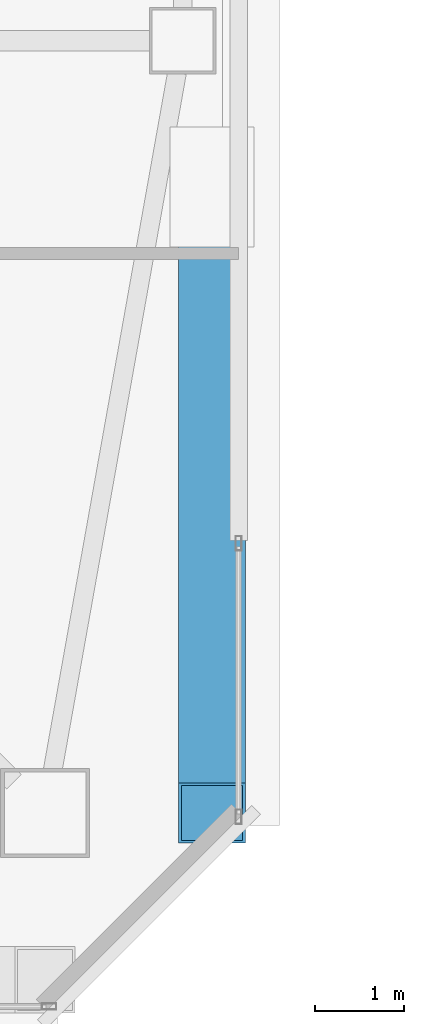
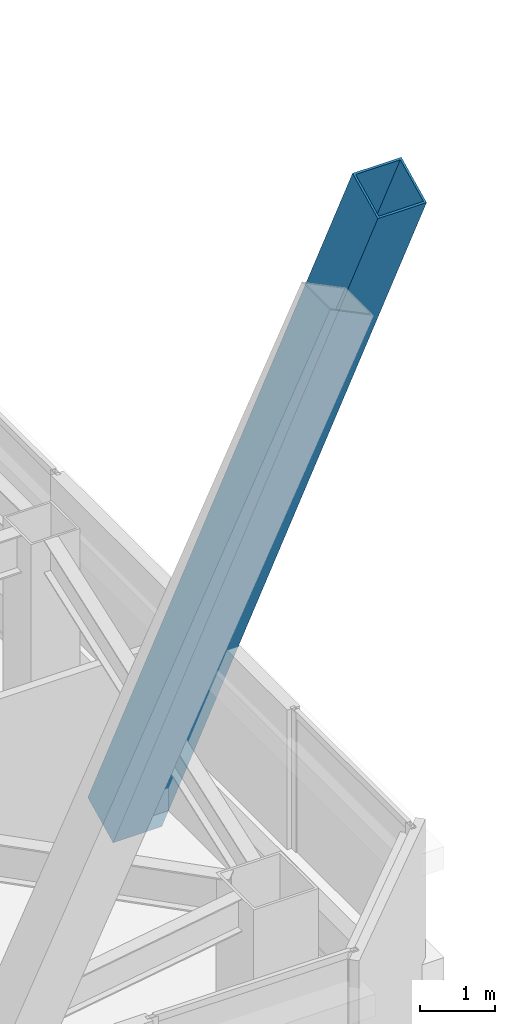
# One storey, part 14 of 56: 1 member.
"""IFC4 building model written with IfcOpenShell, lengths in metres."""

import ifcopenshell
import ifcopenshell.guid

model = None  # the IFC model being written
_history = None  # IfcOwnerHistory: only IFC2X3 demands one
_inside = {}  # id of a spatial element -> (the spatial element, [elements in it])
_under = {}  # id of a project, library or spatial element -> (it, [spatial elements below it])
_declared = {}  # id of a project -> (the project, [libraries it declares])
_typed = {}  # id of a type object -> (the type object, [elements of that type])
_made_of = {}  # id of a material, layer set ... -> (it, [elements and type objects made of it])


def new_model(schema):
    """Start an empty IFC model of exactly this schema.

    Asked for "IFC4X3", IfcOpenShell would pick the latest addendum, in which some entities
    have other attributes; the version numbers below select the first issue.
    IFC2X3 requires an IfcOwnerHistory on every rooted entity: one is made here for all.
    """
    global model, _history
    if schema == "IFC4X3":
        model = ifcopenshell.file(schema_version=(4, 3, 0, 0))
    else:
        model = ifcopenshell.file(schema=schema)
    _inside.clear()
    _under.clear()
    _declared.clear()
    _typed.clear()
    _made_of.clear()
    _history = None
    if model.schema == "IFC2X3":
        org = make("IfcOrganization", Name="unknown")
        user = make(
            "IfcPersonAndOrganization",
            ThePerson=make("IfcPerson", FamilyName="unknown"),
            TheOrganization=org,
        )
        app = make(
            "IfcApplication",
            ApplicationDeveloper=org,
            Version="unknown",
            ApplicationFullName="unknown",
            ApplicationIdentifier="unknown",
        )
        _history = make(
            "IfcOwnerHistory",
            OwningUser=user,
            OwningApplication=app,
            ChangeAction="ADDED",
            CreationDate=0,
        )
    return model


def make(cls, **values):
    """One entity of the class cls with the attributes given. An attribute that is None is left unset."""
    return model.create_entity(
        cls, **{name: value for name, value in values.items() if value is not None}
    )


def rooted(cls, **values):
    """An entity with a GlobalId (a new one), such as an element, a storey or a relation."""
    return make(cls, GlobalId=ifcopenshell.guid.new(), OwnerHistory=_history, **values)


def si_unit(unit_type, name, prefix=None):
    """IfcSIUnit, for example si_unit("LENGTHUNIT", "METRE", prefix="MILLI")."""
    return make("IfcSIUnit", UnitType=unit_type, Prefix=prefix, Name=name)


def assignment(units):
    """IfcUnitAssignment: the units of a project."""
    return None if units is None else make("IfcUnitAssignment", Units=units)


def point(xyz):
    """IfcCartesianPoint."""
    return None if xyz is None else make("IfcCartesianPoint", Coordinates=xyz)


def direction(xyz):
    """IfcDirection."""
    return None if xyz is None else make("IfcDirection", DirectionRatios=xyz)


def frame(location, z_axis=None, x_axis=None):
    """IfcAxis2Placement3D, a coordinate frame: its origin and axes. An axis left out is left unset."""
    return make(
        "IfcAxis2Placement3D",
        Location=point(location),
        Axis=direction(z_axis),
        RefDirection=direction(x_axis),
    )


def frame_2d(location, x_axis=None):
    """IfcAxis2Placement2D, a coordinate frame in the plane: its origin and x axis."""
    return make(
        "IfcAxis2Placement2D", Location=point(location), RefDirection=direction(x_axis)
    )


def origin():
    """The frame at (0, 0, 0) with its axes left unset."""
    return frame((0.0, 0.0, 0.0))


def origin_2d():
    """The frame at (0, 0) in the plane with its x axis left unset."""
    return frame_2d((0.0, 0.0))


def place(relative_to, where):
    """IfcLocalPlacement: puts the frame where relative to a parent placement (None: the world)."""
    return make(
        "IfcLocalPlacement", PlacementRelTo=relative_to, RelativePlacement=where
    )


def context(
    kind, dimensions, precision=None, world=None, true_north=None, identifier=None
):
    """IfcGeometricRepresentationContext, for example the 3D "Model" context."""
    return make(
        "IfcGeometricRepresentationContext",
        ContextIdentifier=identifier,
        ContextType=kind,
        CoordinateSpaceDimension=dimensions,
        Precision=precision,
        WorldCoordinateSystem=world,
        TrueNorth=true_north,
    )


def subcontext(parent, identifier, kind, view, scale=None):
    """IfcGeometricRepresentationSubContext, for example "Body" below "Model"."""
    return make(
        "IfcGeometricRepresentationSubContext",
        ContextIdentifier=identifier,
        ContextType=kind,
        ParentContext=parent,
        TargetScale=scale,
        TargetView=view,
    )


def project(units=None, contexts=None):
    """IfcProject with its units and contexts."""
    return rooted(
        "IfcProject",
        Name="project",
        RepresentationContexts=contexts,
        UnitsInContext=assignment(units),
    )


def spatial(cls, under=None, at=None, **own):
    """A site, building, storey or space (cls), placed at a placement, below another one or the project."""
    s = rooted(cls, ObjectPlacement=at, **own)
    if under is not None:
        _under.setdefault(under.id(), (under, []))[1].append(s)
    return s


def profile(cls, at=None, kind="AREA", **sizes):
    """A parametric profile (cls). Its sizes go by their IFC names, for example OverallWidth=200.0."""
    return make(cls, ProfileType=kind, Position=at, **sizes)


def hollow_rectangle(**sizes):
    """IfcRectangleHollowProfileDef."""
    return profile("IfcRectangleHollowProfileDef", **sizes)


def extrude(swept, where, along, depth):
    """IfcExtrudedAreaSolid: the profile swept, set in the frame where, extruded along a direction by depth."""
    return make(
        "IfcExtrudedAreaSolid",
        SweptArea=swept,
        Position=where,
        ExtrudedDirection=direction(along),
        Depth=depth,
    )


def shape(context_of_items, identifier, shape_type, items):
    """IfcShapeRepresentation: the items that make up one representation, for example the "Body"."""
    return make(
        "IfcShapeRepresentation",
        ContextOfItems=context_of_items,
        RepresentationIdentifier=identifier,
        RepresentationType=shape_type,
        Items=items,
    )


def material(Name=None, Category=None):
    """IfcMaterial."""
    return make("IfcMaterial", Name=Name, Category=Category)


def material_profile(
    of_material, cross_section, Name=None, Category=None, Priority=None
):
    """IfcMaterialProfile: a cross section and its material."""
    return make(
        "IfcMaterialProfile",
        Name=Name,
        Material=of_material,
        Profile=cross_section,
        Priority=Priority,
        Category=Category,
    )


def profile_set(profiles, Name=None, composite=None):
    """IfcMaterialProfileSet."""
    return make(
        "IfcMaterialProfileSet",
        Name=Name,
        MaterialProfiles=profiles,
        CompositeProfile=composite,
    )


def made_of(thing, what):
    """Note that an element or type object is made of a material, layer set ...; save() writes the relation."""
    if what is not None:
        _made_of.setdefault(what.id(), (what, []))[1].append(thing)
    return thing


def type_object(cls, material=None, **own):
    """A type object (cls), such as IfcWallType, which elements share."""
    return made_of(rooted(cls, **own), material)


def element(
    cls,
    number,
    at=None,
    inside=None,
    cuts=None,
    type_object=None,
    material=None,
    context=None,
    identifier="Body",
    shape_type=None,
    held_by="IfcProductDefinitionShape",
    body=None,
    shapes=None,
    **own,
):
    """One element of the class cls, such as IfcWall. Its Tag is "e" and its number.

    at: its placement. inside: the storey or other place that contains it. cuts: it is an
    opening in that element (IfcRelVoidsElement). A single representation is given by context,
    identifier, shape_type and body (its items); several are given by shapes. held_by: the class
    of the entity that holds the representations. save() writes the other relations.
    """
    e = rooted(cls, Tag="e%d" % number, ObjectPlacement=at, **own)
    if body is not None:
        shapes = [shape(context, identifier, shape_type, body)]
    if shapes is not None:
        e.Representation = make(held_by, Representations=shapes)
    if inside is not None:
        _inside.setdefault(inside.id(), (inside, []))[1].append(e)
    if cuts is not None:
        rooted(
            "IfcRelVoidsElement", RelatingBuildingElement=cuts, RelatedOpeningElement=e
        )
    if type_object is not None:
        _typed.setdefault(type_object.id(), (type_object, []))[1].append(e)
    return made_of(e, material)


def aggregate(whole, parts):
    """IfcRelAggregates: a whole, such as a stair, and the parts it consists of."""
    return rooted("IfcRelAggregates", RelatingObject=whole, RelatedObjects=parts)


def save(model, path):
    """Write the relations noted so far, then the file.

    IfcRelAggregates (storeys below a building ...), IfcRelContainedInSpatialStructure (elements
    in a storey), IfcRelDefinesByType, IfcRelAssociatesMaterial and IfcRelDeclares: one each for
    every whole, place, type object, material and project.
    """
    for whole, parts in _under.values():
        aggregate(whole, parts)
    for where, things in _inside.values():
        rooted(
            "IfcRelContainedInSpatialStructure",
            RelatedElements=things,
            RelatingStructure=where,
        )
    for kind, things in _typed.values():
        rooted("IfcRelDefinesByType", RelatedObjects=things, RelatingType=kind)
    for what, things in _made_of.values():
        rooted("IfcRelAssociatesMaterial", RelatedObjects=things, RelatingMaterial=what)
    for by, libraries in _declared.values():
        rooted("IfcRelDeclares", RelatingContext=by, RelatedDefinitions=libraries)
    model.write(path)


model = new_model("IFC4")

# Units and contexts
model_context = context("Model", 3, precision=1e-05, world=origin(), true_north=direction((0.0, 1.0)))
body_context = subcontext(model_context, "Body", "Model", "MODEL_VIEW")
ifc_project = project(units=[si_unit("LENGTHUNIT", "METRE"), si_unit("AREAUNIT", "SQUARE_METRE"), si_unit("VOLUMEUNIT", "CUBIC_METRE"), si_unit("PLANEANGLEUNIT", "RADIAN"), si_unit("MASSUNIT", "GRAM", prefix="KILO")], contexts=[model_context])

# Site, building, storey
site_placement = place(None, origin())
site = spatial("IfcSite", under=ifc_project, at=site_placement, CompositionType="ELEMENT")
building_placement = place(site_placement, origin())
building = spatial("IfcBuilding", under=site, at=building_placement, Name="Tashvorn Skyway Center", CompositionType="ELEMENT")
storey_placement = place(building_placement, frame((0.0, 0.0, 218.39990234375)))
storey = spatial("IfcBuildingStorey", under=building, at=storey_placement, Name="L59", CompositionType="ELEMENT", Elevation=218.39990234375)

# Member
ifc_material = material(Name="Steel ASTM A572 Grade 50", Category="steel")
ifc_material_profile = material_profile(ifc_material, hollow_rectangle(XDim=0.75, YDim=0.75, WallThickness=0.031982421875, at=origin_2d()), Name="BOX750x750x32")
ifc_profile_set = profile_set([ifc_material_profile], Name="Steel ASTM A572 Grade 50")
member_type = type_object("IfcMemberType", Name="MEM-MB-750", PredefinedType="BRACE", material=ifc_profile_set)
member_placement = place(storey_placement, frame((57.97998046875, 24.949951171875, -0.449951171875), z_axis=(0.0, -0.439219679919, 0.898379692987), x_axis=(1.0, 0.0, 0.0)))
element("IfcMember", 1, at=member_placement, inside=storey, type_object=member_type, Name="Tower 1 Zone 5 E Chevron Mega-Brace L2", PredefinedType="BRACE", context=body_context, shape_type="SweptSolid", body=[
    extrude(hollow_rectangle(XDim=0.75, YDim=0.75, WallThickness=0.031982421875, at=origin_2d()), origin(), (0.0, 0.0, 1.0), 16.05126953125),
])

save(model, "model.ifc")
